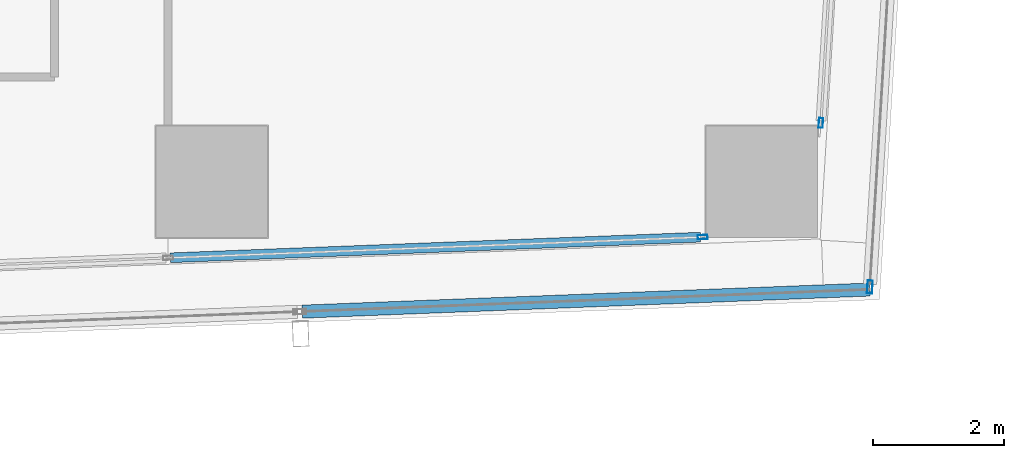
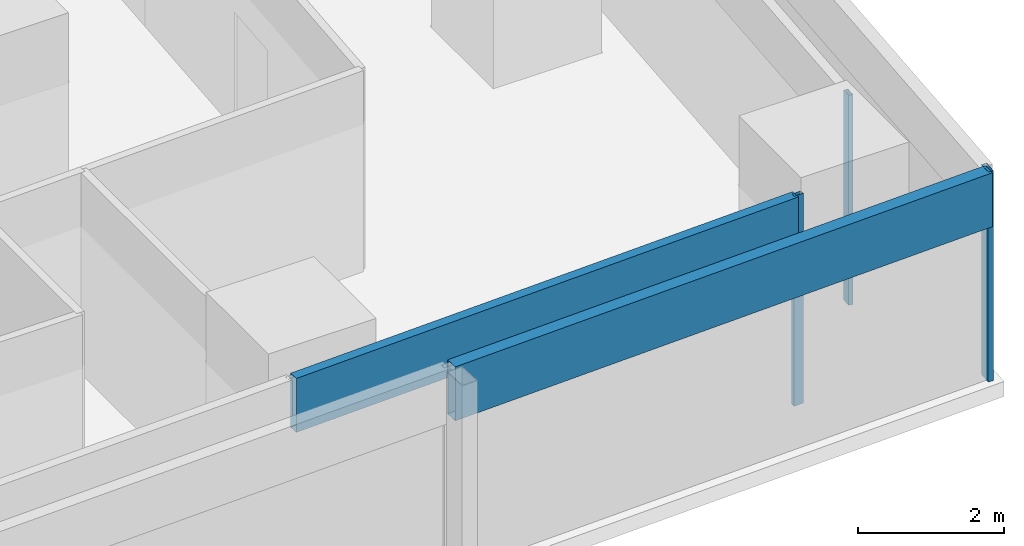
# One storey, part 12 of 40: 5 members, 4 elements without a shape of their own.
"""IFC4 building model written with IfcOpenShell, lengths in metres."""

from ifc_helpers import new_model, si_unit, direction, frame, origin, origin_2d, place, context, subcontext, project, spatial, hollow_rectangle, extrude, material, material_profile, profile_set, type_object, element, aggregate, save


model = new_model("IFC4")

# Units and contexts
model_context = context("Model", 3, precision=1e-05, world=origin(), true_north=direction((0.0, 1.0)))
body_context = subcontext(model_context, "Body", "Model", "MODEL_VIEW")
ifc_project = project(units=[si_unit("LENGTHUNIT", "METRE"), si_unit("AREAUNIT", "SQUARE_METRE"), si_unit("VOLUMEUNIT", "CUBIC_METRE"), si_unit("PLANEANGLEUNIT", "RADIAN"), si_unit("MASSUNIT", "GRAM", prefix="KILO")], contexts=[model_context])

# Site, building, storey
site_placement = place(None, origin())
site = spatial("IfcSite", under=ifc_project, at=site_placement, CompositionType="ELEMENT")
building_placement = place(site_placement, origin())
building = spatial("IfcBuilding", under=site, at=building_placement, Name="Rekha Terrace Tower", CompositionType="ELEMENT")
storey_placement = place(building_placement, frame((0.0, 0.0, 140.300048828125)))
storey = spatial("IfcBuildingStorey", under=building, at=storey_placement, Name="L35", CompositionType="ELEMENT", Elevation=140.300048828125)

# Curtain wall, member
ifc_material_1 = material(Name="Aluminium framing", Category="aluminium")
curtain_wall_type_1 = type_object("IfcCurtainWallType", Name="CW1 double skin inner glazing", PredefinedType="USERDEFINED", material=ifc_material_1)
curtain_wall_1_placement = place(storey_placement, origin())
curtain_wall_1 = element("IfcCurtainWall", 1, at=curtain_wall_1_placement, inside=storey, type_object=curtain_wall_type_1, Name="CW1 double skin inner glazing", ObjectType="DOUBLE SKIN INNER GLAZING", PredefinedType="USERDEFINED")
ifc_material_2 = material(Name="Aluminium mullion section", Category="aluminium")
ifc_material_profile_1 = material_profile(ifc_material_2, hollow_rectangle(XDim=0.06494140625, YDim=0.14990234375, WallThickness=0.00390625, at=origin_2d()), Name="AL RHS 65x150")
ifc_profile_set_1 = profile_set([ifc_material_profile_1], Name="Aluminium mullion section")
member_type_1 = type_object("IfcMemberType", Name="CW1 mullion RHS 65 x 150", PredefinedType="MULLION", material=ifc_profile_set_1)
member_1_placement = place(storey_placement, frame((66.29736328125, 15.95556640625, 0.0), z_axis=(0.0, 0.0, 1.0), x_axis=(-0.038889971345, 0.999243498917, 0.0)))
member_1 = element("IfcMember", 2, at=member_1_placement, type_object=member_type_1, Name="CW1 mullion 6", PredefinedType="MULLION", context=body_context, shape_type="SweptSolid", body=[
    extrude(hollow_rectangle(XDim=0.06494140625, YDim=0.14990234375, WallThickness=0.00390625, at=origin_2d()), origin(), (0.0, 0.0, 1.0), 3.5),
])

curtain_wall_2_placement = place(storey_placement, origin())
curtain_wall_2 = element("IfcCurtainWall", 3, at=curtain_wall_2_placement, inside=storey, type_object=curtain_wall_type_1, Name="CW1 double skin inner glazing", ObjectType="DOUBLE SKIN INNER GLAZING", PredefinedType="USERDEFINED")
member_2_placement = place(storey_placement, frame((68.103515625, 17.69921875, 0.0), z_axis=(0.0, 0.0, 1.0), x_axis=(-0.998127987024, 0.061159803131, 0.0)))
member_2 = element("IfcMember", 4, at=member_2_placement, type_object=member_type_1, Name="CW1 mullion 1", PredefinedType="MULLION", context=body_context, shape_type="SweptSolid", body=[
    extrude(hollow_rectangle(XDim=0.06494140625, YDim=0.14990234375, WallThickness=0.00390625, at=origin_2d()), origin(), (0.0, 0.0, 1.0), 3.5),
])
aggregate(curtain_wall_2, [member_2])

# Member
ifc_material_3 = material(Name="Insulated aluminium spandrel box", Category="aluminium")
ifc_material_profile_2 = material_profile(ifc_material_3, hollow_rectangle(XDim=0.14990234375, YDim=0.89990234375, WallThickness=0.0029296875, at=origin_2d()), Name="AL SPANDREL BOX 150x900")
ifc_profile_set_2 = profile_set([ifc_material_profile_2], Name="Insulated aluminium spandrel box")
member_type_2 = type_object("IfcMemberType", Name="CW1 spandrel transom 150 x 900", PredefinedType="USERDEFINED", material=ifc_profile_set_2)
member_3_placement = place(storey_placement, frame((58.165771484375, 15.63916015625, 3.050048828125), z_axis=(0.999243585207, 0.038887754153, 0.0), x_axis=(-0.038887754153, 0.999243585207, 0.0)))
member_3 = element("IfcMember", 5, at=member_3_placement, type_object=member_type_2, Name="CW1 spandrel transom 5", ObjectType="TRANSOM", PredefinedType="USERDEFINED", context=body_context, shape_type="SweptSolid", body=[
    extrude(hollow_rectangle(XDim=0.14990234375, YDim=0.89990234375, WallThickness=0.0029296875, at=origin_2d()), origin(), (0.0, 0.0, 1.0), 8.10498046875),
])

aggregate(curtain_wall_1, [member_1, member_3])

# Curtain wall, member
curtain_wall_type_2 = type_object("IfcCurtainWallType", Name="CW2 double skin outer glazing", PredefinedType="USERDEFINED", material=ifc_material_1)
curtain_wall_3_placement = place(storey_placement, origin())
curtain_wall_3 = element("IfcCurtainWall", 6, at=curtain_wall_3_placement, inside=storey, type_object=curtain_wall_type_2, Name="CW2 double skin outer glazing", ObjectType="DOUBLE SKIN OUTER GLAZING", PredefinedType="USERDEFINED")
ifc_material_profile_3 = material_profile(ifc_material_2, hollow_rectangle(XDim=0.080078125, YDim=0.199951171875, WallThickness=0.00390625, at=origin_2d()), Name="AL RHS 80x200")
ifc_profile_set_3 = profile_set([ifc_material_profile_3], Name="Aluminium mullion section")
member_type_3 = type_object("IfcMemberType", Name="CW2 mullion RHS 80 x 200", PredefinedType="MULLION", material=ifc_profile_set_3)
member_4_placement = place(storey_placement, frame((68.8515625, 15.194091796875, 0.0), z_axis=(0.0, 0.0, 1.0), x_axis=(-0.998127987024, 0.061159803131, 0.0)))
member_4 = element("IfcMember", 7, at=member_4_placement, type_object=member_type_3, Name="CW2 mullion 1", PredefinedType="MULLION", context=body_context, shape_type="SweptSolid", body=[
    extrude(hollow_rectangle(XDim=0.080078125, YDim=0.199951171875, WallThickness=0.00390625, at=origin_2d()), origin(), (0.0, 0.0, 1.0), 3.5),
])
aggregate(curtain_wall_3, [member_4])

curtain_wall_4_placement = place(storey_placement, origin())
curtain_wall_4 = element("IfcCurtainWall", 8, at=curtain_wall_4_placement, inside=storey, type_object=curtain_wall_type_2, Name="CW2 double skin outer glazing", ObjectType="DOUBLE SKIN OUTER GLAZING", PredefinedType="USERDEFINED")
ifc_material_profile_4 = material_profile(ifc_material_3, hollow_rectangle(XDim=0.199951171875, YDim=0.89990234375, WallThickness=0.0029296875, at=origin_2d()), Name="AL SPANDREL BOX 200x900")
ifc_profile_set_4 = profile_set([ifc_material_profile_4], Name="Insulated aluminium spandrel box")
member_type_4 = type_object("IfcMemberType", Name="CW2 spandrel transom 200 x 900", PredefinedType="USERDEFINED", material=ifc_profile_set_4)
member_5_placement = place(storey_placement, frame((60.18408203125, 14.81689453125, 3.050048828125), z_axis=(0.99924276334, 0.038908866757, 0.0), x_axis=(-0.038908866757, 0.99924276334, 0.0)))
member_5 = element("IfcMember", 9, at=member_5_placement, type_object=member_type_4, Name="CW2 spandrel transom 5", ObjectType="TRANSOM", PredefinedType="USERDEFINED", context=body_context, shape_type="SweptSolid", body=[
    extrude(hollow_rectangle(XDim=0.199951171875, YDim=0.89990234375, WallThickness=0.0029296875, at=origin_2d()), origin(), (0.0, 0.0, 1.0), 8.671630859375),
])
aggregate(curtain_wall_4, [member_5])

save(model, "model.ifc")
